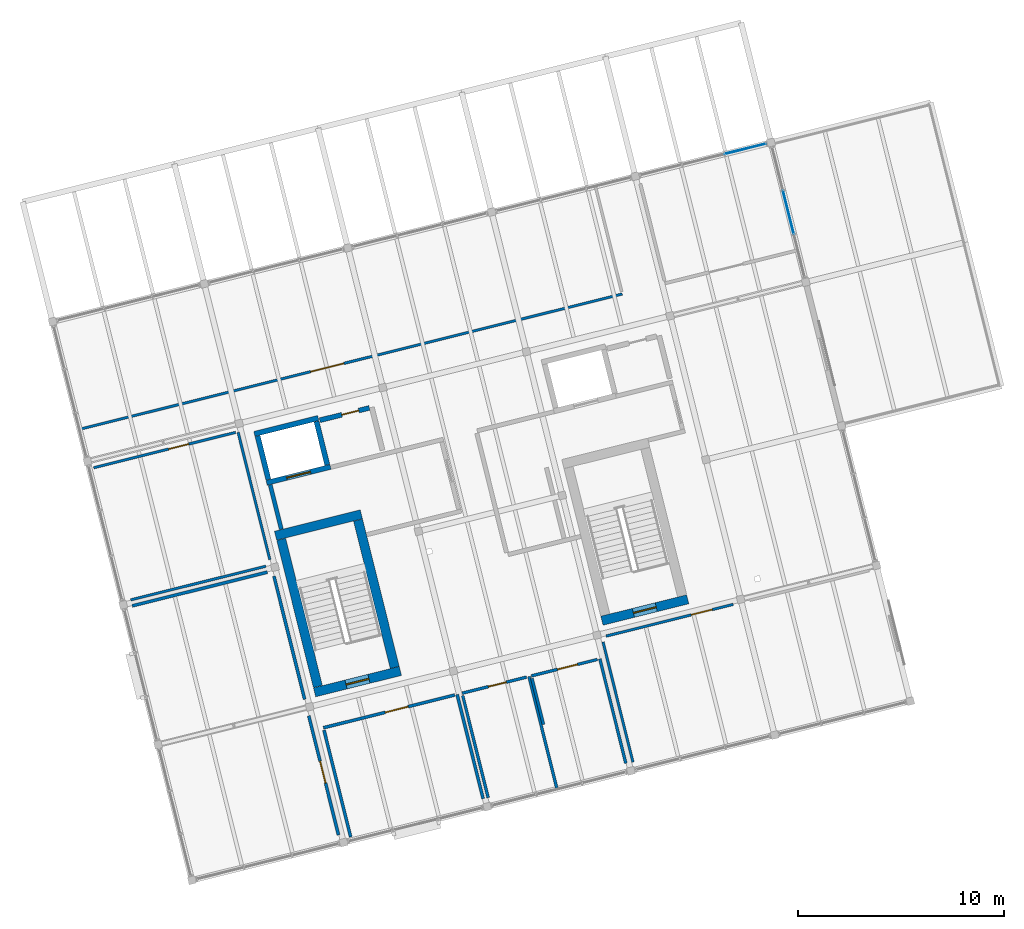
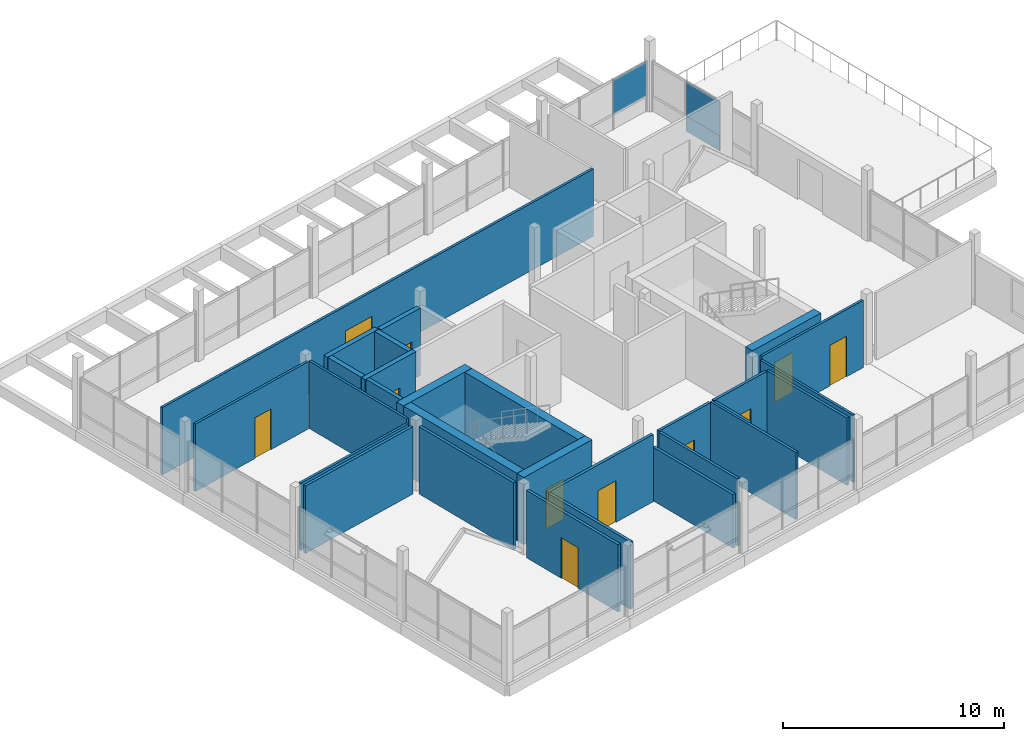
# One storey, part 26 of 28: 29 walls, 11 doors, 3 plates, 11 openings, 2 elements without a shape of their own.
"""IFC4 building model written with IfcOpenShell, lengths in metres."""

from ifc_helpers import new_model, si_unit, direction, frame, frame_2d, origin, origin_2d, place, context, subcontext, project, spatial, rectangle, extrude, material, layer, layer_set, type_object, element, fill, aggregate, save


model = new_model("IFC4")

# Units and contexts
model_context = context("Model", 3, precision=1e-05, world=origin(), true_north=direction((0.0, 1.0)))
body_context = subcontext(model_context, "Body", "Model", "MODEL_VIEW")
ifc_project = project(units=[si_unit("LENGTHUNIT", "METRE"), si_unit("AREAUNIT", "SQUARE_METRE"), si_unit("VOLUMEUNIT", "CUBIC_METRE"), si_unit("PLANEANGLEUNIT", "RADIAN"), si_unit("MASSUNIT", "GRAM", prefix="KILO")], contexts=[model_context])

# Site, building, storey
site_placement = place(None, origin())
site = spatial("IfcSite", under=ifc_project, at=site_placement, CompositionType="ELEMENT")
building_placement = place(site_placement, origin())
building = spatial("IfcBuilding", under=site, at=building_placement, Name="Meriwether Solvik Hall", CompositionType="ELEMENT")
storey_placement = place(building_placement, frame((0.0, 0.0, 45.60009765625)))
storey = spatial("IfcBuildingStorey", under=building, at=storey_placement, Name="L11", CompositionType="ELEMENT", Elevation=45.60009765625)

# Curtain wall, plate
ifc_material_1 = material(Name="Thermally Broken Anodised Aluminium 6063-T6 and Low-E Glass", Category="aluminium")
ifc_layer_1 = layer(ifc_material_1, 0.179931640625)
ifc_layer_set_1 = layer_set([ifc_layer_1], Name="Thermally Broken Anodised Aluminium 6063-T6 and Low-E Glass")
curtain_wall_type_1 = type_object("IfcCurtainWallType", Name="CW-UNIT-F", PredefinedType="USERDEFINED", material=ifc_layer_set_1)
curtain_wall_1_placement = place(storey_placement, origin())
curtain_wall_1 = element("IfcCurtainWall", 1, at=curtain_wall_1_placement, inside=storey, type_object=curtain_wall_type_1, Name="Curtain Wall E1_B3 (L11)", ObjectType="UNITISED CURTAIN WALL", PredefinedType="USERDEFINED")
ifc_material_2 = material(Name="Low-Emissivity Double-Glazed Laminated Glass", Category="glass")
ifc_layer_2 = layer(ifc_material_2, 0.031982421875)
ifc_layer_set_2 = layer_set([ifc_layer_2], Name="Low-Emissivity Double-Glazed Laminated Glass")
plate_type_1 = type_object("IfcPlateType", Name="PLT-GLZ-180X185", PredefinedType="CURTAIN_PANEL", material=ifc_layer_set_2)
plate_1_placement = place(storey_placement, frame((97.603515625, 73.681396484375, 0.8369140625), z_axis=(0.0, 0.0, 1.0), x_axis=(0.241921946828, -0.970295713503, 0.0)))
plate_1 = element("IfcPlate", 2, at=plate_1_placement, type_object=plate_type_1, Name="Low-E Vision Glazing Panel 2", PredefinedType="CURTAIN_PANEL", context=body_context, shape_type="SweptSolid", body=[
    extrude(rectangle(XDim=2.19580078125, YDim=0.033935546875, at=origin_2d()), origin(), (0.0, 0.0, 1.0), 1.89306640625),
])

ifc_material_3 = material(Name="Thermally Broken Anodised Aluminium 6063-T6 and Low-E Glass", Category="aluminium")
ifc_layer_3 = layer(ifc_material_3, 0.179931640625)
ifc_layer_set_3 = layer_set([ifc_layer_3], Name="Thermally Broken Anodised Aluminium 6063-T6 and Low-E Glass")
curtain_wall_type_2 = type_object("IfcCurtainWallType", Name="CW-UNIT-A", PredefinedType="USERDEFINED", material=ifc_layer_set_3)
curtain_wall_2_placement = place(storey_placement, origin())
curtain_wall_2 = element("IfcCurtainWall", 3, at=curtain_wall_2_placement, inside=storey, type_object=curtain_wall_type_2, Name="Curtain Wall E2_B4 (L11)", ObjectType="UNITISED CURTAIN WALL", PredefinedType="USERDEFINED")
ifc_material_4 = material(Name="Low-Emissivity Double-Glazed Laminated Glass", Category="glass")
ifc_layer_4 = layer(ifc_material_4, 0.031982421875)
ifc_layer_set_4 = layer_set([ifc_layer_4], Name="Low-Emissivity Double-Glazed Laminated Glass")
plate_type_2 = type_object("IfcPlateType", Name="PLT-GLZ-225X195", PredefinedType="CURTAIN_PANEL", material=ifc_layer_set_4)
plate_2_placement = place(storey_placement, frame((95.512939453125, 76.767333984375, 0.8369140625), z_axis=(0.0, 0.0, 1.0), x_axis=(0.970295700549, 0.241921998784, 0.0)))
plate_2 = element("IfcPlate", 4, at=plate_2_placement, type_object=plate_type_2, Name="Low-E Vision Glazing Panel 3", PredefinedType="CURTAIN_PANEL", context=body_context, shape_type="SweptSolid", body=[
    extrude(rectangle(XDim=2.091064453125, YDim=0.033935546875, at=origin_2d()), origin(), (0.0, 0.0, 1.0), 1.89306640625),
])
aggregate(curtain_wall_2, [plate_2])

# Plate
ifc_material_5 = material(Name="Mineral-Wool Insulated Anodised Aluminium 6063-T6", Category="aluminium")
ifc_layer_5 = layer(ifc_material_5, 0.044921875)
ifc_layer_set_5 = layer_set([ifc_layer_5], Name="Mineral-Wool Insulated Anodised Aluminium 6063-T6")
plate_type_3 = type_object("IfcPlateType", Name="PLT-SPN-200X085", PredefinedType="CURTAIN_PANEL", material=ifc_layer_set_5)
plate_3_placement = place(storey_placement, frame((97.603515625, 73.681396484375, 0.0), z_axis=(0.0, 0.0, 1.0), x_axis=(0.241921946828, -0.970295713503, 0.0)))
plate_3 = element("IfcPlate", 5, at=plate_3_placement, type_object=plate_type_3, Name="Insulated Spandrel Panel 2", PredefinedType="CURTAIN_PANEL", context=body_context, shape_type="SweptSolid", body=[
    extrude(rectangle(XDim=2.19580078125, YDim=0.044921875, at=origin_2d()), origin(), (0.0, 0.0, 1.0), 0.8369140625),
])

aggregate(curtain_wall_1, [plate_3, plate_1])

# Walls
ifc_material_6 = material(Name="Fire-Rated Type X Gypsum Board", Category="gypsum")
ifc_layer_6 = layer(ifc_material_6, 0.199951171875)
ifc_layer_set_6 = layer_set([ifc_layer_6], Name="Fire-Rated Type X Gypsum Board")
wall_type_1 = type_object("IfcWallType", Name="WALL-FIRE-200", PredefinedType="STANDARD", material=ifc_layer_set_6)
wall_1_placement = place(storey_placement, frame((72.94970703125, 58.269287109375, 0.0), z_axis=(0.0, 0.0, 1.0), x_axis=(-0.24194311862, 0.970290434536, 0.0)))
element("IfcWall", 6, at=wall_1_placement, inside=storey, type_object=wall_type_1, Name="L11 Interior Partition lb1_w", PredefinedType="STANDARD", context=body_context, shape_type="SweptSolid", body=[
    extrude(rectangle(XDim=2.22998046875, YDim=0.199951171875, at=frame_2d((1.114990234375, 0.0))), origin(), (0.0, 0.0, 1.0), 3.719970703125),
])
ifc_material_7 = material(Name="Concrete C40/50", Category="concrete")
ifc_layer_7 = layer(ifc_material_7, 0.25)
ifc_layer_set_7 = layer_set([ifc_layer_7], Name="Concrete C40/50")
wall_type_2 = type_object("IfcWallType", Name="WALL-HOIST-250", PredefinedType="SHEAR", material=ifc_layer_set_7)
wall_2_placement = place(storey_placement, frame((74.744384765625, 63.67919921875, 0.0), z_axis=(0.0, 0.0, 1.0), x_axis=(-0.970294894235, -0.241925232711, 0.0)))
element("IfcWall", 7, at=wall_2_placement, inside=storey, type_object=wall_type_2, Name="Hoistway BANK1 North Wall (L11)", PredefinedType="SHEAR", context=body_context, shape_type="SweptSolid", body=[
    extrude(rectangle(XDim=3.199951171875, YDim=0.25, at=frame_2d((1.60009765625, 0.0))), origin(), (0.0, 0.0, 1.0), 3.719970703125),
])
for number, where, z_axis, x_axis, name in (
    (8, (71.793212890625, 62.80419921875, 0.0), (0.0, 0.0, 1.0), (0.242008581424, -0.970274108959, 0.0), "Hoistway BANK1 West Wall (L11)"),
    (9, (75.18310546875, 61.402587890625, 0.0), (0.0, 0.0, 1.0), (-0.241903146974, 0.970300400641, 0.0), "Hoistway BANK1 East Wall (L11)"),
):
    element("IfcWall", number, at=place(storey_placement, frame(where, z_axis=z_axis, x_axis=x_axis)), inside=storey, type_object=wall_type_2, Name=name, PredefinedType="SHEAR", context=body_context, shape_type="SweptSolid", body=[
        extrude(rectangle(XDim=2.179931640625, YDim=0.25, at=frame_2d((1.08984375, 0.0))), origin(), (0.0, 0.0, 1.0), 3.719970703125),
    ])

# Wall, opening, door
wall_3_placement = place(storey_placement, frame((72.232177734375, 60.52783203125, 0.0), z_axis=(0.0, 0.0, 1.0), x_axis=(0.970290428474, 0.241943142934, 0.0)))
wall_3 = element("IfcWall", 10, at=wall_3_placement, inside=storey, type_object=wall_type_2, Name="Lift LF-01 Landing Wall (L11)", PredefinedType="SHEAR", context=body_context, shape_type="SweptSolid", body=[
    extrude(rectangle(XDim=3.19970703125, YDim=0.25, at=frame_2d((1.599853515625, 0.0))), origin(), (0.0, 0.0, 1.0), 3.719970703125),
])
opening_1_placement = place(wall_3_placement, frame((1.0, 0.0, 0.0)))
opening_1 = element("IfcOpeningElement", 11, at=opening_1_placement, cuts=wall_3, Name="Opening LD-01", PredefinedType="OPENING", context=body_context, shape_type="SweptSolid", body=[
    extrude(rectangle(XDim=1.199951171875, YDim=2.199951171875, at=frame_2d((0.60009765625, 1.10009765625))), frame((0.0, 0.136962890625, 0.0), z_axis=(0.0, -1.0, 0.0), x_axis=(1.0, 0.0, 0.0)), (0.0, 0.0, 1.0), 0.27392578125),
])
ifc_material_8 = material(Name="Stainless Steel AISI 316", Category="steel")
door_type_1 = type_object("IfcDoorType", Name="DR-LIFT-FSAE", OperationType="DOUBLE_DOOR_SLIDING", PredefinedType="DOOR", material=ifc_material_8)
door_1_placement = place(opening_1_placement, origin())
door_1 = element("IfcDoor", 12, at=door_1_placement, inside=storey, type_object=door_type_1, Name="Lift Landing Door LF-01 (L11)", OperationType="DOUBLE_DOOR_SLIDING", OverallHeight=2.199951171875, OverallWidth=1.199951171875, PredefinedType="DOOR", context=body_context, shape_type="SweptSolid", body=[
    extrude(rectangle(XDim=1.199951171875, YDim=2.199951171875, at=frame_2d((0.60009765625, 1.10009765625))), frame((0.0, 0.02490234375, 0.0), z_axis=(0.0, -1.0, 0.0), x_axis=(1.0, 0.0, 0.0)), (0.0, 0.0, 1.0), 0.050048828125),
])
fill(opening_1, door_1)

# Walls
ifc_material_9 = material(Name="Gypsum Board Partition", Category="gypsum")
ifc_layer_8 = layer(ifc_material_9, 0.125)
ifc_layer_set_8 = layer_set([ifc_layer_8], Name="Gypsum Board Partition")
wall_type_3 = type_object("IfcWallType", Name="WALL-PART-125", PredefinedType="PARTITIONING", material=ifc_layer_set_8)
wall_4_placement = place(storey_placement, frame((65.62646484375, 54.835693359375, 0.0), z_axis=(0.0, 0.0, 1.0), x_axis=(0.970299158832, 0.241908127952, 0.0)))
element("IfcWall", 13, at=wall_4_placement, inside=storey, type_object=wall_type_3, Name="L11 Interior Partition off_11w_s", PredefinedType="PARTITIONING", context=body_context, shape_type="SweptSolid", body=[
    extrude(rectangle(XDim=6.77490234375, YDim=0.125, at=frame_2d((3.387451171875, 0.0))), origin(), (0.0, 0.0, 1.0), 3.719970703125),
])
wall_5_placement = place(storey_placement, frame((72.39013671875, 56.793701171875, 0.0), z_axis=(0.0, 0.0, 1.0), x_axis=(-0.241922822951, 0.970295495061, 0.0)))
element("IfcWall", 14, at=wall_5_placement, inside=storey, type_object=wall_type_3, Name="L11 Interior Partition off_11w_e", PredefinedType="PARTITIONING", context=body_context, shape_type="SweptSolid", body=[
    extrude(rectangle(XDim=6.375, YDim=0.125, at=frame_2d((3.1875, 0.0))), origin(), (0.0, 0.0, 1.0), 3.719970703125),
])

# Wall, opening, door
wall_6_placement = place(storey_placement, frame((70.723876953125, 62.980712890625, 0.0), z_axis=(0.0, 0.0, 1.0), x_axis=(-0.970293813542, -0.241929567029, 0.0)))
wall_6 = element("IfcWall", 15, at=wall_6_placement, inside=storey, type_object=wall_type_3, Name="L11 Interior Partition off_11w_n", PredefinedType="PARTITIONING", context=body_context, shape_type="SweptSolid", body=[
    extrude(rectangle(XDim=7.109375, YDim=0.125, at=frame_2d((3.5546875, 0.0))), origin(), (0.0, 0.0, 1.0), 3.719970703125),
])
opening_2_placement = place(wall_6_placement, frame((2.35009765625, 0.0, 0.0)))
opening_2 = element("IfcOpeningElement", 16, at=opening_2_placement, cuts=wall_6, Name="Opening D-166", PredefinedType="OPENING", context=body_context, shape_type="SweptSolid", body=[
    extrude(rectangle(XDim=1.0, YDim=2.25, at=frame_2d((0.5, 1.125))), frame((0.0, 0.074462890625, 0.0), z_axis=(0.0, -1.0, 0.0), x_axis=(1.0, 0.0, 0.0)), (0.0, 0.0, 1.0), 0.14892578125),
])
ifc_material_10 = material(Name="Laminated Vision Glass and Solid White Oak Timber", Category="wood")
door_type_2 = type_object("IfcDoorType", Name="DR-OFF-1000L", OperationType="SINGLE_SWING_LEFT", PredefinedType="DOOR", material=ifc_material_10)
door_2_placement = place(opening_2_placement, origin())
door_2 = element("IfcDoor", 17, at=door_2_placement, inside=storey, type_object=door_type_2, Name="L11 Cultural Heritage Office Door", OperationType="SINGLE_SWING_LEFT", OverallHeight=2.25, OverallWidth=1.0, PredefinedType="DOOR", context=body_context, shape_type="SweptSolid", body=[
    extrude(rectangle(XDim=1.0, YDim=2.25, at=frame_2d((0.5, 1.125))), frame((0.0, 0.02490234375, 0.0), z_axis=(0.0, -1.0, 0.0), x_axis=(1.0, 0.0, 0.0)), (0.0, 0.0, 1.0), 0.050048828125),
])
fill(opening_2, door_2)

wall_7_placement = place(storey_placement, frame((63.190673828125, 63.143310546875, 0.0), z_axis=(0.0, 0.0, 1.0), x_axis=(0.970296815205, 0.241917528103, 0.0)))
wall_7 = element("IfcWall", 18, at=wall_7_placement, inside=storey, type_object=wall_type_3, Name="L11 Interior Partition res_11n_s", PredefinedType="PARTITIONING", context=body_context, shape_type="SweptSolid", body=[
    extrude(rectangle(XDim=27.14013671875, YDim=0.125, at=frame_2d((13.570068359375, 0.0))), origin(), (0.0, 0.0, 1.0), 3.719970703125),
])
opening_3_placement = place(wall_7_placement, frame((11.53662109375, 0.0, 0.0)))
opening_3 = element("IfcOpeningElement", 19, at=opening_3_placement, cuts=wall_7, Name="Opening D-137", PredefinedType="OPENING", context=body_context, shape_type="SweptSolid", body=[
    extrude(rectangle(XDim=1.64990234375, YDim=2.35009765625, at=frame_2d((0.824951171875, 1.175048828125))), frame((0.0, 0.074462890625, 0.0), z_axis=(0.0, -1.0, 0.0), x_axis=(1.0, 0.0, 0.0)), (0.0, 0.0, 1.0), 0.14892578125),
])
ifc_material_11 = material(Name="Laminated Vision Glass and Solid White Oak Timber", Category="wood")
door_type_3 = type_object("IfcDoorType", Name="DR-INT-1650", OperationType="DOUBLE_DOOR_SINGLE_SWING", PredefinedType="DOOR", material=ifc_material_11)
door_3_placement = place(opening_3_placement, origin())
door_3 = element("IfcDoor", 20, at=door_3_placement, inside=storey, type_object=door_type_3, Name="L11 Interdisciplinary Research Commons Door", OperationType="DOUBLE_DOOR_SINGLE_SWING", OverallHeight=2.35009765625, OverallWidth=1.64990234375, PredefinedType="DOOR", context=body_context, shape_type="SweptSolid", body=[
    extrude(rectangle(XDim=1.64990234375, YDim=2.35009765625, at=frame_2d((0.824951171875, 1.175048828125))), frame((0.0, 0.02490234375, 0.0), z_axis=(0.0, -1.0, 0.0), x_axis=(1.0, 0.0, 0.0)), (0.0, 0.0, 1.0), 0.050048828125),
])
fill(opening_3, door_3)

wall_8_placement = place(storey_placement, frame((94.922607421875, 54.616455078125, 0.0), z_axis=(0.0, 0.0, 1.0), x_axis=(-0.970297736337, -0.241913833542, 0.0)))
wall_8 = element("IfcWall", 21, at=wall_8_placement, inside=storey, type_object=wall_type_3, Name="L11 Interior Partition off_11s_n_s2", PredefinedType="PARTITIONING", context=body_context, shape_type="SweptSolid", body=[
    extrude(rectangle(XDim=6.375244140625, YDim=0.125, at=frame_2d((3.1875, 0.0))), origin(), (0.0, 0.0, 1.0), 3.719970703125),
])
opening_4_placement = place(wall_8_placement, frame((1.05029296875, 0.0, 0.0)))
opening_4 = element("IfcOpeningElement", 22, at=opening_4_placement, cuts=wall_8, Name="Opening D-175", PredefinedType="OPENING", context=body_context, shape_type="SweptSolid", body=[
    extrude(rectangle(XDim=1.050048828125, YDim=2.25, at=frame_2d((0.52490234375, 1.125))), frame((0.0, 0.074462890625, 0.0), z_axis=(0.0, -1.0, 0.0), x_axis=(1.0, 0.0, 0.0)), (0.0, 0.0, 1.0), 0.14892578125),
])
ifc_material_12 = material(Name="Solid-Core Rift White Oak Timber", Category="wood")
door_type_4 = type_object("IfcDoorType", Name="DR-FEL-1050L", OperationType="SINGLE_SWING_LEFT", PredefinedType="DOOR", material=ifc_material_12)
door_4_placement = place(opening_4_placement, origin())
door_4 = element("IfcDoor", 23, at=door_4_placement, inside=storey, type_object=door_type_4, Name="L11 Community Endowment Suite Door", OperationType="SINGLE_SWING_LEFT", OverallHeight=2.25, OverallWidth=1.050048828125, PredefinedType="DOOR", context=body_context, shape_type="SweptSolid", body=[
    extrude(rectangle(XDim=1.050048828125, YDim=2.25, at=frame_2d((0.52490234375, 1.125))), frame((0.0, 0.02490234375, 0.0), z_axis=(0.0, -1.0, 0.0), x_axis=(1.0, 0.0, 0.0)), (0.0, 0.0, 1.0), 0.050048828125),
])
fill(opening_4, door_4)

# Wall
wall_9_placement = place(storey_placement, frame((88.58984375, 52.79052734375, 0.0), z_axis=(0.0, 0.0, 1.0), x_axis=(0.241924830398, -0.970294994544, 0.0)))
element("IfcWall", 24, at=wall_9_placement, inside=storey, type_object=wall_type_3, Name="L11 Interior Partition off_11s_w", PredefinedType="PARTITIONING", context=body_context, shape_type="SweptSolid", body=[
    extrude(rectangle(XDim=6.01953125, YDim=0.125, at=frame_2d((3.009765625, 0.0))), origin(), (0.0, 0.0, 1.0), 3.719970703125),
])

# Wall, opening, door
ifc_material_13 = material(Name="Gypsum Board Partition", Category="gypsum")
ifc_layer_9 = layer(ifc_material_13, 0.14990234375)
ifc_layer_set_9 = layer_set([ifc_layer_9], Name="Gypsum Board Partition")
wall_type_4 = type_object("IfcWallType", Name="WALL-PART-150", PredefinedType="PARTITIONING", material=ifc_layer_set_9)
wall_10_placement = place(storey_placement, frame((75.728759765625, 43.403564453125, 0.0), z_axis=(0.0, 0.0, 1.0), x_axis=(-0.24192989378, 0.970293732071, 0.0)))
wall_10 = element("IfcWall", 25, at=wall_10_placement, inside=storey, type_object=wall_type_4, Name="L11 Interior Partition sem_11w_e", PredefinedType="PARTITIONING", context=body_context, shape_type="SweptSolid", body=[
    extrude(rectangle(XDim=5.97509765625, YDim=0.14990234375, at=frame_2d((2.987548828125, 0.0))), origin(), (0.0, 0.0, 1.0), 3.719970703125),
])
opening_5_placement = place(wall_10_placement, frame((2.60595703125, 0.0, 0.0)))
opening_5 = element("IfcOpeningElement", 26, at=opening_5_placement, cuts=wall_10, Name="Opening D-134", PredefinedType="OPENING", context=body_context, shape_type="SweptSolid", body=[
    extrude(rectangle(XDim=1.10009765625, YDim=2.25, at=frame_2d((0.550048828125, 1.125))), frame((0.0, 0.0869140625, 0.0), z_axis=(0.0, -1.0, 0.0), x_axis=(1.0, 0.0, 0.0)), (0.0, 0.0, 1.0), 0.173828125),
])
ifc_material_14 = material(Name="Laminated Vision Glass and Solid White Oak Timber", Category="wood")
door_type_5 = type_object("IfcDoorType", Name="DR-CLS-1100L", OperationType="SINGLE_SWING_LEFT", PredefinedType="DOOR", material=ifc_material_14)
door_5_placement = place(opening_5_placement, origin())
door_5 = element("IfcDoor", 27, at=door_5_placement, inside=storey, type_object=door_type_5, Name="L11 Upper Seminar Classroom Door", OperationType="SINGLE_SWING_LEFT", OverallHeight=2.25, OverallWidth=1.10009765625, PredefinedType="DOOR", context=body_context, shape_type="SweptSolid", body=[
    extrude(rectangle(XDim=1.10009765625, YDim=2.25, at=frame_2d((0.550048828125, 1.125))), frame((0.0, 0.02490234375, 0.0), z_axis=(0.0, -1.0, 0.0), x_axis=(1.0, 0.0, 0.0)), (0.0, 0.0, 1.0), 0.050048828125),
])
fill(opening_5, door_5)

# Walls
wall_11_placement = place(storey_placement, frame((74.08349609375, 50.00146484375, 0.0), z_axis=(0.0, 0.0, 1.0), x_axis=(-0.241921603562, 0.970295799089, 0.0)))
element("IfcWall", 28, at=wall_11_placement, inside=storey, type_object=wall_type_4, Name="L11 Interior Partition sem_11w_e_s2", PredefinedType="PARTITIONING", context=body_context, shape_type="SweptSolid", body=[
    extrude(rectangle(XDim=6.175048828125, YDim=0.14990234375, at=frame_2d((3.08740234375, 0.0))), origin(), (0.0, 0.0, 1.0), 3.719970703125),
])
wall_12_placement = place(storey_placement, frame((72.270751953125, 56.18310546875, 0.0), z_axis=(0.0, 0.0, 1.0), x_axis=(-0.97029069988, -0.241942054482, 0.0)))
element("IfcWall", 29, at=wall_12_placement, inside=storey, type_object=wall_type_4, Name="L11 Interior Partition sem_11w_n", PredefinedType="PARTITIONING", context=body_context, shape_type="SweptSolid", body=[
    extrude(rectangle(XDim=6.77490234375, YDim=0.14990234375, at=frame_2d((3.387451171875, 0.0))), origin(), (0.0, 0.0, 1.0), 3.719970703125),
])
wall_13_placement = place(storey_placement, frame((82.76025390625, 45.169921875, 0.0), z_axis=(0.0, 0.0, 1.0), x_axis=(-0.241908753839, 0.970299002791, 0.0)))
element("IfcWall", 30, at=wall_13_placement, inside=storey, type_object=wall_type_4, Name="L11 Interior Partition sem_11s_e", PredefinedType="PARTITIONING", context=body_context, shape_type="SweptSolid", body=[
    extrude(rectangle(XDim=5.2236328125, YDim=0.14990234375, at=frame_2d((2.61181640625, 0.0))), origin(), (0.0, 0.0, 1.0), 2.9599609375),
])

# Wall, opening, door
wall_14_placement = place(storey_placement, frame((81.380126953125, 50.20947265625, 0.0), z_axis=(0.0, 0.0, 1.0), x_axis=(-0.97028855449, -0.241950658247, 0.0)))
wall_14 = element("IfcWall", 31, at=wall_14_placement, inside=storey, type_object=wall_type_4, Name="L11 Interior Partition sem_11s_n", PredefinedType="PARTITIONING", context=body_context, shape_type="SweptSolid", body=[
    extrude(rectangle(XDim=6.580078125, YDim=0.14990234375, at=frame_2d((3.2900390625, 0.0))), origin(), (0.0, 0.0, 1.0), 3.719970703125),
])
opening_6_placement = place(wall_14_placement, frame((2.337158203125, 0.0, 0.0)))
opening_6 = element("IfcOpeningElement", 32, at=opening_6_placement, cuts=wall_14, Name="Opening D-149", PredefinedType="OPENING", context=body_context, shape_type="SweptSolid", body=[
    extrude(rectangle(XDim=1.14990234375, YDim=2.300048828125, at=frame_2d((0.574951171875, 1.14990234375))), frame((0.0, 0.0869140625, 0.0), z_axis=(0.0, -1.0, 0.0), x_axis=(1.0, 0.0, 0.0)), (0.0, 0.0, 1.0), 0.173828125),
])
ifc_material_15 = material(Name="Laminated Vision Glass and Solid White Oak Timber", Category="wood")
door_type_6 = type_object("IfcDoorType", Name="DR-SEM-1150L", OperationType="SINGLE_SWING_LEFT", PredefinedType="DOOR", material=ifc_material_15)
door_6_placement = place(opening_6_placement, origin())
door_6 = element("IfcDoor", 33, at=door_6_placement, inside=storey, type_object=door_type_6, Name="L11 Municipal Finance Classroom Door", OperationType="SINGLE_SWING_LEFT", OverallHeight=2.300048828125, OverallWidth=1.14990234375, PredefinedType="DOOR", context=body_context, shape_type="SweptSolid", body=[
    extrude(rectangle(XDim=1.14990234375, YDim=2.300048828125, at=frame_2d((0.574951171875, 1.14990234375))), frame((0.0, 0.02490234375, 0.0), z_axis=(0.0, -1.0, 0.0), x_axis=(1.0, 0.0, 0.0)), (0.0, 0.0, 1.0), 0.050048828125),
])
fill(opening_6, door_6)

# Wall
wall_15_placement = place(storey_placement, frame((75.024658203125, 48.501220703125, 0.0), z_axis=(0.0, 0.0, 1.0), x_axis=(0.241880779036, -0.970305976861, 0.0)))
element("IfcWall", 34, at=wall_15_placement, inside=storey, type_object=wall_type_4, Name="L11 Interior Partition sem_11s_w", PredefinedType="PARTITIONING", context=body_context, shape_type="SweptSolid", body=[
    extrude(rectangle(XDim=5.3515625, YDim=0.14990234375, at=frame_2d((2.67578125, 0.0))), origin(), (0.0, 0.0, 1.0), 3.719970703125),
])

# Wall, opening, door
ifc_material_16 = material(Name="Concrete C45/55", Category="concrete")
ifc_layer_10 = layer(ifc_material_16, 0.449951171875)
ifc_layer_set_10 = layer_set([ifc_layer_10], Name="Concrete C45/55")
wall_type_5 = type_object("IfcWallType", Name="WALL-RC-450", PredefinedType="SHEAR", material=ifc_layer_set_10)
wall_16_placement = place(storey_placement, frame((74.566162109375, 50.33984375, 0.0), z_axis=(0.0, 0.0, 1.0), x_axis=(0.970292610647, 0.241934391361, 0.0)))
wall_16 = element("IfcWall", 35, at=wall_16_placement, inside=storey, type_object=wall_type_5, Name="CORE-1 Shear Wall S (L11)", PredefinedType="SHEAR", context=body_context, shape_type="SweptSolid", body=[
    extrude(rectangle(XDim=4.2998046875, YDim=0.449951171875, at=frame_2d((2.14990234375, 0.0))), origin(), (0.0, 0.0, 1.0), 3.719970703125),
])
opening_7_placement = place(wall_16_placement, frame((1.574951171875, 0.0, 0.0)))
opening_7 = element("IfcOpeningElement", 36, at=opening_7_placement, cuts=wall_16, Name="Opening D-189", PredefinedType="OPENING", context=body_context, shape_type="SweptSolid", body=[
    extrude(rectangle(XDim=1.14990234375, YDim=2.199951171875, at=frame_2d((0.574951171875, 1.10009765625))), frame((0.0, 0.23681640625, 0.0), z_axis=(0.0, -1.0, 0.0), x_axis=(1.0, 0.0, 0.0)), (0.0, 0.0, 1.0), 0.473876953125),
])
ifc_material_17 = material(Name="Steel A36 Galvanised", Category="steel")
door_type_7 = type_object("IfcDoorType", Name="DR-FD90-1150L", OperationType="SINGLE_SWING_LEFT", PredefinedType="DOOR", material=ifc_material_17)
door_7_placement = place(opening_7_placement, origin())
door_7 = element("IfcDoor", 37, at=door_7_placement, inside=storey, type_object=door_type_7, Name="Stair ST-01 Smokeproof Exit Door (L11)", OperationType="SINGLE_SWING_LEFT", OverallHeight=2.199951171875, OverallWidth=1.14990234375, PredefinedType="DOOR", context=body_context, shape_type="SweptSolid", body=[
    extrude(rectangle(XDim=1.14990234375, YDim=2.199951171875, at=frame_2d((0.574951171875, 1.10009765625))), frame((0.0, 0.02490234375, 0.0), z_axis=(0.0, -1.0, 0.0), x_axis=(1.0, 0.0, 0.0)), (0.0, 0.0, 1.0), 0.050048828125),
])
fill(opening_7, door_7)

# Walls
wall_17_placement = place(storey_placement, frame((76.83935546875, 58.996826171875, 0.0), z_axis=(0.0, 0.0, 1.0), x_axis=(-0.970295933763, -0.241921063415, 0.0)))
element("IfcWall", 38, at=wall_17_placement, inside=storey, type_object=wall_type_5, Name="CORE-1 Shear Wall N (L11)", PredefinedType="SHEAR", context=body_context, shape_type="SweptSolid", body=[
    extrude(rectangle(XDim=4.300048828125, YDim=0.449951171875, at=frame_2d((2.14990234375, 0.0))), origin(), (0.0, 0.0, 1.0), 3.719970703125),
])
for number, where, z_axis, x_axis, name in (
    (39, (72.942138671875, 57.782958984375, 0.0), (0.0, 0.0, 1.0), (0.241928426141, -0.970294098006, 0.0), "CORE-1 Shear Wall W (L11)"),
    (40, (78.463134765625, 51.5537109375, 0.0), (0.0, 0.0, 1.0), (-0.241928426141, 0.970294098006, 0.0), "CORE-1 Shear Wall E (L11)"),
):
    element("IfcWall", number, at=place(storey_placement, frame(where, z_axis=z_axis, x_axis=x_axis)), inside=storey, type_object=wall_type_5, Name=name, PredefinedType="SHEAR", context=body_context, shape_type="SweptSolid", body=[
        extrude(rectangle(XDim=7.3798828125, YDim=0.449951171875, at=frame_2d((3.68994140625, 0.0))), origin(), (0.0, 0.0, 1.0), 3.719970703125),
    ])

# Wall, opening, door
wall_18_placement = place(storey_placement, frame((88.538330078125, 53.823486328125, 0.0), z_axis=(0.0, 0.0, 1.0), x_axis=(0.970295933763, 0.241921063415, 0.0)))
wall_18 = element("IfcWall", 41, at=wall_18_placement, inside=storey, type_object=wall_type_5, Name="CORE-2 Shear Wall S (L11)", PredefinedType="SHEAR", context=body_context, shape_type="SweptSolid", body=[
    extrude(rectangle(XDim=4.300048828125, YDim=0.449951171875, at=frame_2d((2.14990234375, 0.0))), origin(), (0.0, 0.0, 1.0), 3.719970703125),
])
opening_8_placement = place(wall_18_placement, frame((1.574951171875, 0.0, 0.0)))
opening_8 = element("IfcOpeningElement", 42, at=opening_8_placement, cuts=wall_18, Name="Opening D-148", PredefinedType="OPENING", context=body_context, shape_type="SweptSolid", body=[
    extrude(rectangle(XDim=1.14990234375, YDim=2.199951171875, at=frame_2d((0.574951171875, 1.10009765625))), frame((0.0, 0.23681640625, 0.0), z_axis=(0.0, -1.0, 0.0), x_axis=(1.0, 0.0, 0.0)), (0.0, 0.0, 1.0), 0.473876953125),
])
ifc_material_18 = material(Name="Steel A36 Galvanised", Category="steel")
door_type_8 = type_object("IfcDoorType", Name="DR-FD90-1150R", OperationType="SINGLE_SWING_RIGHT", PredefinedType="DOOR", material=ifc_material_18)
door_8_placement = place(opening_8_placement, origin())
door_8 = element("IfcDoor", 43, at=door_8_placement, inside=storey, type_object=door_type_8, Name="Stair ST-02 Smokeproof Exit Door (L11)", OperationType="SINGLE_SWING_RIGHT", OverallHeight=2.199951171875, OverallWidth=1.14990234375, PredefinedType="DOOR", context=body_context, shape_type="SweptSolid", body=[
    extrude(rectangle(XDim=1.14990234375, YDim=2.199951171875, at=frame_2d((0.574951171875, 1.10009765625))), frame((0.0, 0.02490234375, 0.0), z_axis=(0.0, -1.0, 0.0), x_axis=(1.0, 0.0, 0.0)), (0.0, 0.0, 1.0), 0.050048828125),
])
fill(opening_8, door_8)

ifc_material_19 = material(Name="Concrete C35/45", Category="concrete")
ifc_layer_11 = layer(ifc_material_19, 0.239990234375)
ifc_layer_set_11 = layer_set([ifc_layer_11], Name="Concrete C35/45")
wall_type_6 = type_object("IfcWallType", Name="WALL-SHAFT-240", PredefinedType="STANDARD", material=ifc_layer_set_11)
wall_19_placement = place(storey_placement, frame((77.2294921875, 64.169921875, 0.0), z_axis=(0.0, 0.0, 1.0), x_axis=(-0.970310192441, -0.241863867589, 0.0)))
wall_19 = element("IfcWall", 44, at=wall_19_placement, inside=storey, type_object=wall_type_6, Name="L11 Interior Partition riser1_n", PredefinedType="STANDARD", context=body_context, shape_type="SweptSolid", body=[
    extrude(rectangle(XDim=2.480224609375, YDim=0.239990234375, at=frame_2d((1.240234375, 0.0))), origin(), (0.0, 0.0, 1.0), 3.719970703125),
])
opening_9_placement = place(wall_19_placement, frame((0.530029296875, 0.0, 0.0)))
opening_9 = element("IfcOpeningElement", 45, at=opening_9_placement, cuts=wall_19, Name="Opening D-102", PredefinedType="OPENING", context=body_context, shape_type="SweptSolid", body=[
    extrude(rectangle(XDim=0.85009765625, YDim=2.10009765625, at=frame_2d((0.425048828125, 1.050048828125))), frame((0.0, 0.1318359375, 0.0), z_axis=(0.0, -1.0, 0.0), x_axis=(1.0, 0.0, 0.0)), (0.0, 0.0, 1.0), 0.263916015625),
])
ifc_material_20 = material(Name="Steel A36 Galvanised", Category="steel")
door_type_9 = type_object("IfcDoorType", Name="DR-FD60-850L", OperationType="SINGLE_SWING_LEFT", PredefinedType="DOOR", material=ifc_material_20)
door_9_placement = place(opening_9_placement, origin())
door_9 = element("IfcDoor", 46, at=door_9_placement, inside=storey, type_object=door_type_9, Name="Telecom Riser Closet Door (L11)", OperationType="SINGLE_SWING_LEFT", OverallHeight=2.10009765625, OverallWidth=0.85009765625, PredefinedType="DOOR", context=body_context, shape_type="SweptSolid", body=[
    extrude(rectangle(XDim=0.85009765625, YDim=2.10009765625, at=frame_2d((0.425048828125, 1.050048828125))), frame((0.0, 0.02490234375, 0.0), z_axis=(0.0, -1.0, 0.0), x_axis=(1.0, 0.0, 0.0)), (0.0, 0.0, 1.0), 0.050048828125),
])
fill(opening_9, door_9)

# Wall
ifc_material_21 = material(Name="Moisture-Resistant Gypsum Board", Category="gypsum")
ifc_layer_12 = layer(ifc_material_21, 0.139892578125)
ifc_layer_set_12 = layer_set([ifc_layer_12], Name="Moisture-Resistant Gypsum Board")
wall_type_7 = type_object("IfcWallType", Name="WALL-WET-140", PredefinedType="PLUMBINGWALL", material=ifc_layer_set_12)
wall_20_placement = place(storey_placement, frame((86.341796875, 45.685302734375, 0.0), z_axis=(0.0, 0.0, 1.0), x_axis=(-0.241908728092, 0.97029900921, 0.0)))
element("IfcWall", 47, at=wall_20_placement, inside=storey, type_object=wall_type_7, Name="L11 Interior Partition wc_m_e", PredefinedType="PLUMBINGWALL", context=body_context, shape_type="SweptSolid", body=[
    extrude(rectangle(XDim=5.590087890625, YDim=0.139892578125, at=frame_2d((2.794921875, 0.0))), origin(), (0.0, 0.0, 1.0), 3.719970703125),
])

# Wall, opening, door
wall_21_placement = place(storey_placement, frame((84.873046875, 51.080322265625, 0.0), z_axis=(0.0, 0.0, 1.0), x_axis=(-0.970289047109, -0.241948682698, 0.0)))
wall_21 = element("IfcWall", 48, at=wall_21_placement, inside=storey, type_object=wall_type_7, Name="L11 Interior Partition wc_m_n", PredefinedType="PLUMBINGWALL", context=body_context, shape_type="SweptSolid", body=[
    extrude(rectangle(XDim=3.22998046875, YDim=0.139892578125, at=frame_2d((1.614990234375, 0.0))), origin(), (0.0, 0.0, 1.0), 3.719970703125),
])
opening_10_placement = place(wall_21_placement, frame((1.008544921875, 0.0, 0.0)))
opening_10 = element("IfcOpeningElement", 49, at=opening_10_placement, cuts=wall_21, Name="Opening D-174", PredefinedType="OPENING", context=body_context, shape_type="SweptSolid", body=[
    extrude(rectangle(XDim=0.89990234375, YDim=2.14990234375, at=frame_2d((0.449951171875, 1.074951171875))), frame((0.0, 0.08203125, 0.0), z_axis=(0.0, -1.0, 0.0), x_axis=(1.0, 0.0, 0.0)), (0.0, 0.0, 1.0), 0.163818359375),
])
ifc_material_22 = material(Name="Solid-Core Rift White Oak Timber", Category="wood")
door_type_10 = type_object("IfcDoorType", Name="DR-WC-900L", OperationType="SINGLE_SWING_LEFT", PredefinedType="DOOR", material=ifc_material_22)
door_10_placement = place(opening_10_placement, origin())
door_10 = element("IfcDoor", 50, at=door_10_placement, inside=storey, type_object=door_type_10, Name="L11 Restrooms Door", OperationType="SINGLE_SWING_LEFT", OverallHeight=2.14990234375, OverallWidth=0.89990234375, PredefinedType="DOOR", context=body_context, shape_type="SweptSolid", body=[
    extrude(rectangle(XDim=0.89990234375, YDim=2.14990234375, at=frame_2d((0.449951171875, 1.074951171875))), frame((0.0, 0.02490234375, 0.0), z_axis=(0.0, -1.0, 0.0), x_axis=(1.0, 0.0, 0.0)), (0.0, 0.0, 1.0), 0.050048828125),
])
fill(opening_10, door_10)

# Walls
wall_22_placement = place(storey_placement, frame((81.76806640625, 50.182373046875, 0.0), z_axis=(0.0, 0.0, 1.0), x_axis=(0.241918322849, -0.970296617056, 0.0)))
element("IfcWall", 51, at=wall_22_placement, inside=storey, type_object=wall_type_7, Name="L11 Interior Partition wc_m_w", PredefinedType="PLUMBINGWALL", context=body_context, shape_type="SweptSolid", body=[
    extrude(rectangle(XDim=5.11865234375, YDim=0.139892578125, at=frame_2d((2.559326171875, 0.0))), origin(), (0.0, 0.0, 1.0), 3.719970703125),
])
wall_23_placement = place(storey_placement, frame((89.700927734375, 46.88720703125, 0.0), z_axis=(0.0, 0.0, 1.0), x_axis=(-0.241921263747, 0.970295883814, 0.0)))
element("IfcWall", 52, at=wall_23_placement, inside=storey, type_object=wall_type_7, Name="L11 Interior Partition wc_a_e", PredefinedType="PLUMBINGWALL", context=body_context, shape_type="SweptSolid", body=[
    extrude(rectangle(XDim=5.236572265625, YDim=0.139892578125, at=frame_2d((2.6181640625, 0.0))), origin(), (0.0, 0.0, 1.0), 3.719970703125),
])

# Wall, opening, door
wall_24_placement = place(storey_placement, frame((88.317626953125, 51.939208984375, 0.0), z_axis=(0.0, 0.0, 1.0), x_axis=(-0.970294165893, -0.241928153868, 0.0)))
wall_24 = element("IfcWall", 53, at=wall_24_placement, inside=storey, type_object=wall_type_7, Name="L11 Interior Partition wc_a_n", PredefinedType="PLUMBINGWALL", context=body_context, shape_type="SweptSolid", body=[
    extrude(rectangle(XDim=3.31005859375, YDim=0.139892578125, at=frame_2d((1.655029296875, 0.0))), origin(), (0.0, 0.0, 1.0), 3.719970703125),
])
opening_11_placement = place(wall_24_placement, frame((1.0, 0.0, 0.0)))
opening_11 = element("IfcOpeningElement", 54, at=opening_11_placement, cuts=wall_24, Name="Opening D-140", PredefinedType="OPENING", context=body_context, shape_type="SweptSolid", body=[
    extrude(rectangle(XDim=1.0, YDim=2.14990234375, at=frame_2d((0.5, 1.074951171875))), frame((0.0, 0.08203125, 0.0), z_axis=(0.0, -1.0, 0.0), x_axis=(1.0, 0.0, 0.0)), (0.0, 0.0, 1.0), 0.163818359375),
])
ifc_material_23 = material(Name="Solid-Core Rift White Oak Timber", Category="wood")
door_type_11 = type_object("IfcDoorType", Name="DR-ACC-1000L", OperationType="SINGLE_SWING_LEFT", PredefinedType="DOOR", material=ifc_material_23)
door_11_placement = place(opening_11_placement, origin())
door_11 = element("IfcDoor", 55, at=door_11_placement, inside=storey, type_object=door_type_11, Name="L11 Accessible WC Door", OperationType="SINGLE_SWING_LEFT", OverallHeight=2.14990234375, OverallWidth=1.0, PredefinedType="DOOR", context=body_context, shape_type="SweptSolid", body=[
    extrude(rectangle(XDim=1.0, YDim=2.14990234375, at=frame_2d((0.5, 1.074951171875))), frame((0.0, 0.02490234375, 0.0), z_axis=(0.0, -1.0, 0.0), x_axis=(1.0, 0.0, 0.0)), (0.0, 0.0, 1.0), 0.050048828125),
])
fill(opening_11, door_11)

# Wall
wall_25_placement = place(storey_placement, frame((85.135009765625, 51.02197265625, 0.0), z_axis=(0.0, 0.0, 1.0), x_axis=(0.241890497014, -0.970303554283, 0.0)))
element("IfcWall", 56, at=wall_25_placement, inside=storey, type_object=wall_type_7, Name="L11 Interior Partition wc_a_w", PredefinedType="PLUMBINGWALL", context=body_context, shape_type="SweptSolid", body=[
    extrude(rectangle(XDim=2.3154296875, YDim=0.139892578125, at=frame_2d((1.15771484375, 0.0))), origin(), (0.0, 0.0, 1.0), 3.719970703125),
])

save(model, "model.ifc")
